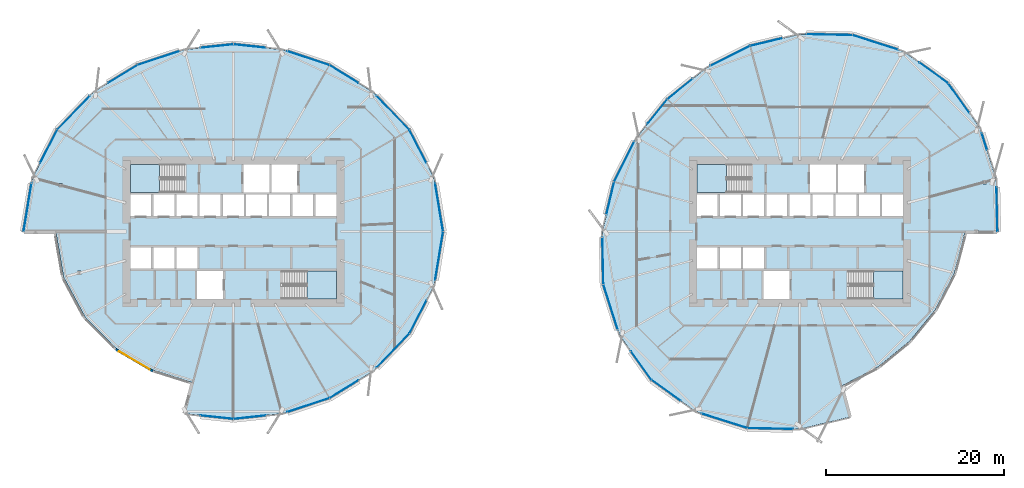
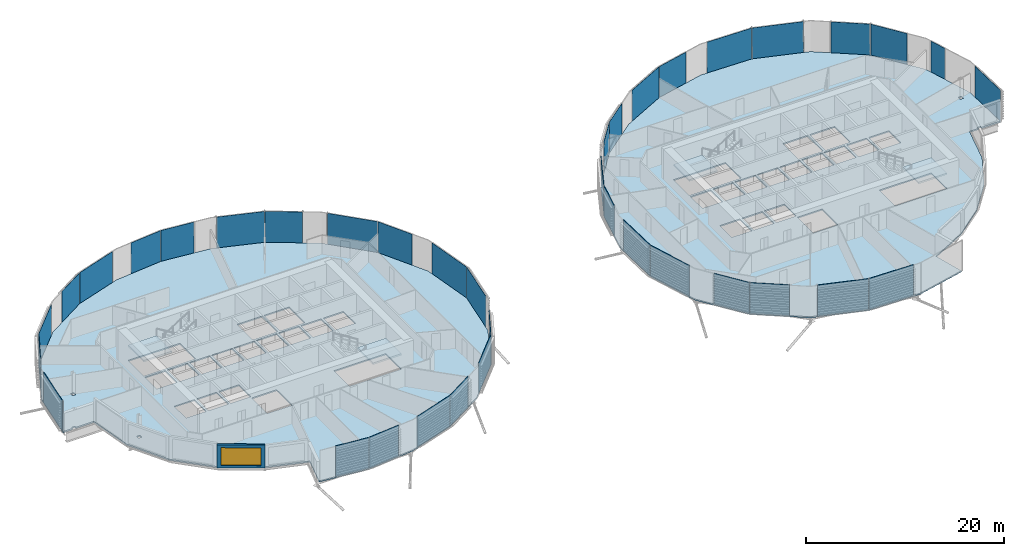
# One storey, part 19 of 38: 37 plates, 6 slabs, 1 wall, 1 window, 1 opening, 6 elements without a shape of their own.
"""IFC4 building model written with IfcOpenShell, lengths in metres."""

from ifc_helpers import new_model, si_unit, direction, frame, frame_2d, origin, origin_2d, place, context, subcontext, project, spatial, polyline, rectangle, outline, extrude, material, layer, layer_set, type_object, element, fill, aggregate, save


model = new_model("IFC4")

# Units and contexts
model_context = context("Model", 3, precision=1e-05, world=origin(), true_north=direction((0.0, 1.0)))
body_context = subcontext(model_context, "Body", "Model", "MODEL_VIEW")
ifc_project = project(units=[si_unit("LENGTHUNIT", "METRE"), si_unit("AREAUNIT", "SQUARE_METRE"), si_unit("VOLUMEUNIT", "CUBIC_METRE"), si_unit("PLANEANGLEUNIT", "RADIAN"), si_unit("MASSUNIT", "GRAM", prefix="KILO")], contexts=[model_context])

# Site, building, storey
site_placement = place(None, origin())
site = spatial("IfcSite", under=ifc_project, at=site_placement, CompositionType="ELEMENT")
building_placement = place(site_placement, origin())
building = spatial("IfcBuilding", under=site, at=building_placement, Name="Rimbun Link Towers", CompositionType="ELEMENT")
storey_placement = place(building_placement, frame((0.0, 0.0, 71.800048828125)))
storey = spatial("IfcBuildingStorey", under=building, at=storey_placement, Name="L17", CompositionType="ELEMENT", Elevation=71.800048828125)

# Slabs
ifc_material_1 = material(Name="Concrete C35/45", Category="concrete")
ifc_layer_1 = layer(ifc_material_1, 0.159912109375)
ifc_layer_set_1 = layer_set([ifc_layer_1], Name="COMPOSITE FLOOR 160")
slab_type_1 = type_object("IfcSlabType", Name="COMPOSITE FLOOR 160", PredefinedType="FLOOR", material=ifc_layer_set_1)
slab_1_placement = place(storey_placement, frame((0.0, 0.0, -0.16015625)))
element("IfcSlab", 1, at=slab_1_placement, inside=storey, type_object=slab_type_1, Name="Floor slab T1 L17", PredefinedType="FLOOR", context=body_context, shape_type="SweptSolid", body=[
    extrude(outline(polyline([(-55.244384765625, 0.0), (-54.252685546875, 6.029541015625), (-51.47900390625, 11.390380859375), (-47.397705078125, 15.647705078125), (-42.514892578125, 18.6455078125), (-37.216552734375, 20.4013671875), (-31.75, 20.97705078125), (-26.283447265625, 20.4013671875), (-20.985107421875, 18.6455078125), (-16.102294921875, 15.647705078125), (-12.02099609375, 11.390380859375), (-9.247314453125, 6.029541015625), (-8.255615234375, 0.0), (-9.247314453125, -6.029541015625), (-12.02099609375, -11.390380859375), (-16.102294921875, -15.647705078125), (-20.985107421875, -18.6455078125), (-26.283447265625, -20.4013671875), (-31.75, -20.97705078125), (-37.216552734375, -20.4013671875), (-36.284912109375, -16.924072265625), (-40.715087890625, -15.52783203125), (-44.85205078125, -13.10205078125), (-48.361083984375, -9.590576171875), (-50.775390625, -5.097900390625), (-51.644287109375, 0.0), (-53.728271484375, 0.0), (-53.728271484375, 0.19677734375), (-54.127197265625, 0.19677734375), (-54.127197265625, 0.0), (-55.244384765625, 0.0)]), holes=[polyline([(-48.83447265625, -4.827880859375), (-48.83447265625, -4.434326171875), (-49.2333984375, -4.434326171875), (-49.2333984375, -4.827880859375), (-48.83447265625, -4.827880859375)]), polyline([(-40.95556640625, -4.14990234375), (-40.95556640625, -1.75), (-43.300048828125, -1.75), (-43.300048828125, -4.14990234375), (-40.95556640625, -4.14990234375)]), polyline([(-38.361083984375, -4.14990234375), (-38.361083984375, -1.75), (-40.70556640625, -1.75), (-40.70556640625, -4.14990234375), (-38.361083984375, -4.14990234375)]), polyline([(-38.111083984375, -4.14990234375), (-35.7666015625, -4.14990234375), (-35.7666015625, -1.75), (-38.111083984375, -1.75), (-38.111083984375, -4.14990234375)]), polyline([(-40.95556640625, 1.75), (-40.95556640625, 4.14990234375), (-43.300048828125, 4.14990234375), (-43.300048828125, 1.75), (-40.95556640625, 1.75)]), polyline([(-38.361083984375, 1.75), (-38.361083984375, 4.14990234375), (-40.70556640625, 4.14990234375), (-40.70556640625, 1.75), (-38.361083984375, 1.75)]), polyline([(-35.7666015625, 1.75), (-35.7666015625, 4.14990234375), (-38.111083984375, 4.14990234375), (-38.111083984375, 1.75), (-35.7666015625, 1.75)]), polyline([(-51.278076171875, 4.982421875), (-50.87890625, 4.982421875), (-50.87890625, 5.3759765625), (-51.278076171875, 5.3759765625), (-51.278076171875, 4.982421875)]), polyline([(-43.300048828125, 4.39990234375), (-37.260009765625, 4.39990234375), (-37.260009765625, 7.550048828125), (-43.300048828125, 7.550048828125), (-43.300048828125, 4.39990234375)]), polyline([(-32.89990234375, -7.550048828125), (-32.89990234375, -4.39990234375), (-35.800048828125, -4.39990234375), (-35.800048828125, -7.550048828125), (-32.89990234375, -7.550048828125)]), polyline([(-20.199951171875, -7.550048828125), (-20.199951171875, -4.39990234375), (-26.239990234375, -4.39990234375), (-26.239990234375, -7.550048828125), (-20.199951171875, -7.550048828125)]), polyline([(-33.172119140625, 1.75), (-33.172119140625, 4.14990234375), (-35.5166015625, 4.14990234375), (-35.5166015625, 1.75), (-33.172119140625, 1.75)]), polyline([(-32.922119140625, 1.75), (-30.577880859375, 1.75), (-30.577880859375, 4.14990234375), (-32.922119140625, 4.14990234375), (-32.922119140625, 1.75)]), polyline([(-30.327880859375, 1.75), (-27.9833984375, 1.75), (-27.9833984375, 4.14990234375), (-30.327880859375, 4.14990234375), (-30.327880859375, 1.75)]), polyline([(-25.388916015625, 1.75), (-25.388916015625, 4.14990234375), (-27.7333984375, 4.14990234375), (-27.7333984375, 1.75), (-25.388916015625, 1.75)]), polyline([(-22.79443359375, 1.75), (-22.79443359375, 4.14990234375), (-25.138916015625, 4.14990234375), (-25.138916015625, 1.75), (-22.79443359375, 1.75)]), polyline([(-20.199951171875, 1.75), (-20.199951171875, 4.14990234375), (-22.54443359375, 4.14990234375), (-22.54443359375, 1.75), (-20.199951171875, 1.75)]), polyline([(-30.60009765625, 4.39990234375), (-27.699951171875, 4.39990234375), (-27.699951171875, 7.550048828125), (-30.60009765625, 7.550048828125), (-30.60009765625, 4.39990234375)]), polyline([(-27.449951171875, 4.39990234375), (-24.550048828125, 4.39990234375), (-24.550048828125, 7.550048828125), (-27.449951171875, 7.550048828125), (-27.449951171875, 4.39990234375)])]), origin(), (0.0, 0.0, 1.0), 0.16015625),
])
slab_2_placement = place(storey_placement, frame((0.0, 0.0, -0.16015625)))
element("IfcSlab", 2, at=slab_2_placement, inside=storey, type_object=slab_type_1, Name="Floor slab T2 L17", PredefinedType="FLOOR", context=body_context, shape_type="SweptSolid", body=[
    extrude(outline(polyline([(50.279052734375, 0.0), (49.069091796875, -4.640625), (46.923583984375, -8.760498046875), (44.037353515625, -12.287353515625), (40.510498046875, -15.173583984375), (36.390625, -17.319091796875), (37.322509765625, -20.79638671875), (31.75, -22.12890625), (25.853759765625, -22.0048828125), (20.101806640625, -20.175537109375), (15.136962890625, -16.613037109375), (11.574462890625, -11.648193359375), (9.7451171875, -5.896240234375), (9.62109375, 0.0), (10.95361328125, 5.572509765625), (13.458740234375, 10.560546875), (16.9169921875, 14.8330078125), (21.189453125, 18.291259765625), (26.177490234375, 20.79638671875), (31.75, 22.12890625), (37.646240234375, 22.0048828125), (43.398193359375, 20.175537109375), (48.363037109375, 16.613037109375), (51.925537109375, 11.648193359375), (53.7548828125, 5.896240234375), (53.87890625, 0.0), (51.703125, 0.0), (51.703125, 0.19677734375), (51.30419921875, 0.19677734375), (51.30419921875, 0.0), (50.279052734375, 0.0)]), holes=[polyline([(30.60009765625, -7.550048828125), (30.60009765625, -4.39990234375), (27.699951171875, -4.39990234375), (27.699951171875, -7.550048828125), (30.60009765625, -7.550048828125)]), polyline([(22.54443359375, -4.14990234375), (22.54443359375, -1.75), (20.199951171875, -1.75), (20.199951171875, -4.14990234375), (22.54443359375, -4.14990234375)]), polyline([(25.138916015625, -4.14990234375), (25.138916015625, -1.75), (22.79443359375, -1.75), (22.79443359375, -4.14990234375), (25.138916015625, -4.14990234375)]), polyline([(27.7333984375, -4.14990234375), (27.7333984375, -1.75), (25.388916015625, -1.75), (25.388916015625, -4.14990234375), (27.7333984375, -4.14990234375)]), polyline([(22.54443359375, 1.75), (22.54443359375, 4.14990234375), (20.199951171875, 4.14990234375), (20.199951171875, 1.75), (22.54443359375, 1.75)]), polyline([(25.138916015625, 1.75), (25.138916015625, 4.14990234375), (22.79443359375, 4.14990234375), (22.79443359375, 1.75), (25.138916015625, 1.75)]), polyline([(27.7333984375, 1.75), (27.7333984375, 4.14990234375), (25.388916015625, 4.14990234375), (25.388916015625, 1.75), (27.7333984375, 1.75)]), polyline([(27.9833984375, 1.75), (30.327880859375, 1.75), (30.327880859375, 4.14990234375), (27.9833984375, 4.14990234375), (27.9833984375, 1.75)]), polyline([(30.577880859375, 1.75), (32.922119140625, 1.75), (32.922119140625, 4.14990234375), (30.577880859375, 4.14990234375), (30.577880859375, 1.75)]), polyline([(26.239990234375, 4.39990234375), (26.239990234375, 7.550048828125), (20.199951171875, 7.550048828125), (20.199951171875, 4.39990234375), (26.239990234375, 4.39990234375)]), polyline([(43.300048828125, -7.550048828125), (43.300048828125, -4.39990234375), (37.260009765625, -4.39990234375), (37.260009765625, -7.550048828125), (43.300048828125, -7.550048828125)]), polyline([(33.172119140625, 1.75), (35.5166015625, 1.75), (35.5166015625, 4.14990234375), (33.172119140625, 4.14990234375), (33.172119140625, 1.75)]), polyline([(35.7666015625, 1.75), (38.111083984375, 1.75), (38.111083984375, 4.14990234375), (35.7666015625, 4.14990234375), (35.7666015625, 1.75)]), polyline([(40.70556640625, 1.75), (40.70556640625, 4.14990234375), (38.361083984375, 4.14990234375), (38.361083984375, 1.75), (40.70556640625, 1.75)]), polyline([(43.300048828125, 1.75), (43.300048828125, 4.14990234375), (40.95556640625, 4.14990234375), (40.95556640625, 1.75), (43.300048828125, 1.75)]), polyline([(52.677978515625, 5.357421875), (52.677978515625, 5.7509765625), (52.279052734375, 5.7509765625), (52.279052734375, 5.357421875), (52.677978515625, 5.357421875)]), polyline([(32.89990234375, 4.39990234375), (35.800048828125, 4.39990234375), (35.800048828125, 7.550048828125), (32.89990234375, 7.550048828125), (32.89990234375, 4.39990234375)]), polyline([(36.050048828125, 4.39990234375), (38.949951171875, 4.39990234375), (38.949951171875, 7.550048828125), (36.050048828125, 7.550048828125), (36.050048828125, 4.39990234375)])]), origin(), (0.0, 0.0, 1.0), 0.16015625),
])

# Curtain wall, plates
ifc_material_2 = material(Name="Aluminium 6063-T6 and low-iron glass", Category="aluminium")
curtain_wall_type = type_object("IfcCurtainWallType", Name="CW1 unitised vision wall", PredefinedType="NOTDEFINED", material=ifc_material_2)
curtain_wall_1_placement = place(storey_placement, origin())
curtain_wall_1 = element("IfcCurtainWall", 3, at=curtain_wall_1_placement, inside=storey, type_object=curtain_wall_type, Name="CW1 L17 T1", PredefinedType="NOTDEFINED")
ifc_material_3 = material(Name="Low-iron glass, laminated low-e unit", Category="glass")
ifc_layer_2 = layer(ifc_material_3, 0.028076171875)
ifc_layer_set_2 = layer_set([ifc_layer_2], Name="CW1 panel Low-iron glass 28")
plate_type = type_object("IfcPlateType", Name="CW1 panel Low-iron glass 28", PredefinedType="CURTAIN_PANEL", material=ifc_layer_set_2)
plate_1_placement = place(storey_placement, frame((-8.68896484375, 2.720947265625, 0.0), z_axis=(0.0, 0.0, 1.0), x_axis=(0.162259642251, -0.986748097792, 0.0)))
plate_1 = element("IfcPlate", 4, at=plate_1_placement, type_object=plate_type, Name="CW1 panel", PredefinedType="CURTAIN_PANEL", context=body_context, shape_type="SweptSolid", body=[
    extrude(rectangle(XDim=5.470458984375, YDim=0.028076171875, at=origin_2d()), origin(), (0.0, 0.0, 1.0), 3.800048828125),
])
plate_2_placement = place(storey_placement, frame((-11.058349609375, 9.560302734375, 0.0), z_axis=(0.0, 0.0, 1.0), x_axis=(0.45955632125, -0.888148629228, 0.0)))
plate_2 = element("IfcPlate", 5, at=plate_2_placement, type_object=plate_type, Name="CW1 panel", PredefinedType="CURTAIN_PANEL", context=body_context, shape_type="SweptSolid", body=[
    extrude(rectangle(XDim=4.095947265625, YDim=0.028076171875, at=origin_2d()), origin(), (0.0, 0.0, 1.0), 3.800048828125),
])
plate_3_placement = place(storey_placement, frame((-13.843994140625, 13.312255859375, 0.0), z_axis=(0.0, 0.0, 1.0), x_axis=(0.692044930546, -0.721854427226, 0.0)))
plate_3 = element("IfcPlate", 6, at=plate_3_placement, type_object=plate_type, Name="CW1 panel", PredefinedType="CURTAIN_PANEL", context=body_context, shape_type="SweptSolid", body=[
    extrude(rectangle(XDim=5.257568359375, YDim=0.028076171875, at=origin_2d()), origin(), (0.0, 0.0, 1.0), 3.800048828125),
])
plate_4_placement = place(storey_placement, frame((-19.345947265625, 17.655517578125, 0.0), z_axis=(0.0, 0.0, 1.0), x_axis=(0.852185835011, -0.523239240316, 0.0)))
plate_4 = element("IfcPlate", 7, at=plate_4_placement, type_object=plate_type, Name="CW1 panel", PredefinedType="CURTAIN_PANEL", context=body_context, shape_type="SweptSolid", body=[
    extrude(rectangle(XDim=3.78955078125, YDim=0.028076171875, at=origin_2d()), origin(), (0.0, 0.0, 1.0), 3.800048828125),
])
plate_5_placement = place(storey_placement, frame((-23.344970703125, 19.4423828125, 0.0), z_axis=(0.0, 0.0, 1.0), x_axis=(0.949238989505, -0.314555783293, 0.0)))
plate_5 = element("IfcPlate", 8, at=plate_5_placement, type_object=plate_type, Name="CW1 panel", PredefinedType="CURTAIN_PANEL", context=body_context, shape_type="SweptSolid", body=[
    extrude(rectangle(XDim=4.94189453125, YDim=0.028076171875, at=origin_2d()), origin(), (0.0, 0.0, 1.0), 3.800048828125),
])
plate_6_placement = place(storey_placement, frame((-29.910400390625, 20.79736328125, 0.0), z_axis=(0.0, 0.0, 1.0), x_axis=(0.994500168315, -0.104734976112, 0.0)))
plate_6 = element("IfcPlate", 9, at=plate_6_placement, type_object=plate_type, Name="CW1 panel", PredefinedType="CURTAIN_PANEL", context=body_context, shape_type="SweptSolid", body=[
    extrude(rectangle(XDim=3.65673828125, YDim=0.028076171875, at=origin_2d()), origin(), (0.0, 0.0, 1.0), 3.800048828125),
])
plate_7_placement = place(storey_placement, frame((-33.589599609375, 20.79736328125, 0.0), z_axis=(0.0, 0.0, 1.0), x_axis=(0.994500168315, 0.104734976112, 0.0)))
plate_7 = element("IfcPlate", 10, at=plate_7_placement, type_object=plate_type, Name="CW1 panel", PredefinedType="CURTAIN_PANEL", context=body_context, shape_type="SweptSolid", body=[
    extrude(rectangle(XDim=3.65673828125, YDim=0.028076171875, at=origin_2d()), origin(), (0.0, 0.0, 1.0), 3.800048828125),
])
plate_8_placement = place(storey_placement, frame((-40.155029296875, 19.4423828125, 0.0), z_axis=(0.0, 0.0, 1.0), x_axis=(0.949238989505, 0.314555783293, 0.0)))
plate_8 = element("IfcPlate", 11, at=plate_8_placement, type_object=plate_type, Name="CW1 panel", PredefinedType="CURTAIN_PANEL", context=body_context, shape_type="SweptSolid", body=[
    extrude(rectangle(XDim=4.94189453125, YDim=0.028076171875, at=origin_2d()), origin(), (0.0, 0.0, 1.0), 3.800048828125),
])
plate_9_placement = place(storey_placement, frame((-44.154052734375, 17.655517578125, 0.0), z_axis=(0.0, 0.0, 1.0), x_axis=(0.852185835011, 0.523239240316, 0.0)))
plate_9 = element("IfcPlate", 12, at=plate_9_placement, type_object=plate_type, Name="CW1 panel", PredefinedType="CURTAIN_PANEL", context=body_context, shape_type="SweptSolid", body=[
    extrude(rectangle(XDim=3.78955078125, YDim=0.028076171875, at=origin_2d()), origin(), (0.0, 0.0, 1.0), 3.800048828125),
])
plate_10_placement = place(storey_placement, frame((-49.656005859375, 13.312255859375, 0.0), z_axis=(0.0, 0.0, 1.0), x_axis=(0.692044930546, 0.721854427226, 0.0)))
plate_10 = element("IfcPlate", 13, at=plate_10_placement, type_object=plate_type, Name="CW1 panel", PredefinedType="CURTAIN_PANEL", context=body_context, shape_type="SweptSolid", body=[
    extrude(rectangle(XDim=5.257568359375, YDim=0.028076171875, at=origin_2d()), origin(), (0.0, 0.0, 1.0), 3.800048828125),
])
plate_11_placement = place(storey_placement, frame((-52.453125, 9.5380859375, 0.0), z_axis=(0.0, 0.0, 1.0), x_axis=(0.45955632125, 0.888148629228, 0.0)))
plate_11 = element("IfcPlate", 14, at=plate_11_placement, type_object=plate_type, Name="CW1 panel", PredefinedType="CURTAIN_PANEL", context=body_context, shape_type="SweptSolid", body=[
    extrude(rectangle(XDim=4.14599609375, YDim=0.028076171875, at=origin_2d()), origin(), (0.0, 0.0, 1.0), 3.800048828125),
])
plate_12_placement = place(storey_placement, frame((-54.815185546875, 2.6962890625, 0.0), z_axis=(0.0, 0.0, 1.0), x_axis=(0.162259642251, 0.986748097792, 0.0)))
plate_12 = element("IfcPlate", 15, at=plate_12_placement, type_object=plate_type, Name="CW1 panel", PredefinedType="CURTAIN_PANEL", context=body_context, shape_type="SweptSolid", body=[
    extrude(rectangle(XDim=5.420654296875, YDim=0.028076171875, at=origin_2d()), origin(), (0.0, 0.0, 1.0), 3.800048828125),
])
plate_13_placement = place(storey_placement, frame((-33.589599609375, -20.79736328125, 0.0), z_axis=(0.0, 0.0, 1.0), x_axis=(-0.994500168315, 0.104734976112, 0.0)))
plate_13 = element("IfcPlate", 16, at=plate_13_placement, type_object=plate_type, Name="CW1 panel", PredefinedType="CURTAIN_PANEL", context=body_context, shape_type="SweptSolid", body=[
    extrude(rectangle(XDim=3.65673828125, YDim=0.028076171875, at=origin_2d()), origin(), (0.0, 0.0, 1.0), 3.800048828125),
])
plate_14_placement = place(storey_placement, frame((-29.910400390625, -20.79736328125, 0.0), z_axis=(0.0, 0.0, 1.0), x_axis=(-0.994500168315, -0.104734976112, 0.0)))
plate_14 = element("IfcPlate", 17, at=plate_14_placement, type_object=plate_type, Name="CW1 panel", PredefinedType="CURTAIN_PANEL", context=body_context, shape_type="SweptSolid", body=[
    extrude(rectangle(XDim=3.65673828125, YDim=0.028076171875, at=origin_2d()), origin(), (0.0, 0.0, 1.0), 3.800048828125),
])
plate_15_placement = place(storey_placement, frame((-23.344970703125, -19.4423828125, 0.0), z_axis=(0.0, 0.0, 1.0), x_axis=(-0.949238989505, -0.314555783293, 0.0)))
plate_15 = element("IfcPlate", 18, at=plate_15_placement, type_object=plate_type, Name="CW1 panel", PredefinedType="CURTAIN_PANEL", context=body_context, shape_type="SweptSolid", body=[
    extrude(rectangle(XDim=4.94189453125, YDim=0.028076171875, at=origin_2d()), origin(), (0.0, 0.0, 1.0), 3.800048828125),
])
plate_16_placement = place(storey_placement, frame((-19.345947265625, -17.655517578125, 0.0), z_axis=(0.0, 0.0, 1.0), x_axis=(-0.852185835011, -0.523239240316, 0.0)))
plate_16 = element("IfcPlate", 19, at=plate_16_placement, type_object=plate_type, Name="CW1 panel", PredefinedType="CURTAIN_PANEL", context=body_context, shape_type="SweptSolid", body=[
    extrude(rectangle(XDim=3.78955078125, YDim=0.028076171875, at=origin_2d()), origin(), (0.0, 0.0, 1.0), 3.800048828125),
])
plate_17_placement = place(storey_placement, frame((-13.843994140625, -13.312255859375, 0.0), z_axis=(0.0, 0.0, 1.0), x_axis=(-0.692044930546, -0.721854427226, 0.0)))
plate_17 = element("IfcPlate", 20, at=plate_17_placement, type_object=plate_type, Name="CW1 panel", PredefinedType="CURTAIN_PANEL", context=body_context, shape_type="SweptSolid", body=[
    extrude(rectangle(XDim=5.257568359375, YDim=0.028076171875, at=origin_2d()), origin(), (0.0, 0.0, 1.0), 3.800048828125),
])
plate_18_placement = place(storey_placement, frame((-11.058349609375, -9.560302734375, 0.0), z_axis=(0.0, 0.0, 1.0), x_axis=(-0.45955632125, -0.888148629228, 0.0)))
plate_18 = element("IfcPlate", 21, at=plate_18_placement, type_object=plate_type, Name="CW1 panel", PredefinedType="CURTAIN_PANEL", context=body_context, shape_type="SweptSolid", body=[
    extrude(rectangle(XDim=4.095947265625, YDim=0.028076171875, at=origin_2d()), origin(), (0.0, 0.0, 1.0), 3.800048828125),
])
plate_19_placement = place(storey_placement, frame((-8.68896484375, -2.720947265625, 0.0), z_axis=(0.0, 0.0, 1.0), x_axis=(-0.162259642251, -0.986748097792, 0.0)))
plate_19 = element("IfcPlate", 22, at=plate_19_placement, type_object=plate_type, Name="CW1 panel", PredefinedType="CURTAIN_PANEL", context=body_context, shape_type="SweptSolid", body=[
    extrude(rectangle(XDim=5.470458984375, YDim=0.028076171875, at=origin_2d()), origin(), (0.0, 0.0, 1.0), 3.800048828125),
])
aggregate(curtain_wall_1, [plate_1, plate_2, plate_3, plate_4, plate_5, plate_6, plate_7, plate_8, plate_9, plate_10, plate_11, plate_12, plate_13, plate_14, plate_15, plate_16, plate_17, plate_18, plate_19])

curtain_wall_2_placement = place(storey_placement, origin())
curtain_wall_2 = element("IfcCurtainWall", 23, at=curtain_wall_2_placement, inside=storey, type_object=curtain_wall_type, Name="CW1 L17 T2", PredefinedType="NOTDEFINED")
plate_20_placement = place(storey_placement, frame((46.741943359375, 17.79345703125, 0.0), z_axis=(0.0, 0.0, 1.0), x_axis=(0.812471013588, -0.583001588402, 0.0)))
plate_20 = element("IfcPlate", 24, at=plate_20_placement, type_object=plate_type, Name="CW1 panel", PredefinedType="CURTAIN_PANEL", context=body_context, shape_type="SweptSolid", body=[
    extrude(rectangle(XDim=3.970703125, YDim=0.028076171875, at=origin_2d()), origin(), (0.0, 0.0, 1.0), 3.800048828125),
])
plate_21_placement = place(storey_placement, frame((40.19287109375, 21.20947265625, 0.0), z_axis=(0.0, 0.0, 1.0), x_axis=(0.952969504125, -0.30306620433, 0.0)))
plate_21 = element("IfcPlate", 25, at=plate_21_placement, type_object=plate_type, Name="CW1 panel", PredefinedType="CURTAIN_PANEL", context=body_context, shape_type="SweptSolid", body=[
    extrude(rectangle(XDim=5.2958984375, YDim=0.028076171875, at=origin_2d()), origin(), (0.0, 0.0, 1.0), 3.800048828125),
])
plate_22_placement = place(storey_placement, frame((35.0732421875, 22.072998046875, 0.0), z_axis=(0.0, 0.0, 1.0), x_axis=(0.999778219026, -0.021059742681, 0.0)))
plate_22 = element("IfcPlate", 26, at=plate_22_placement, type_object=plate_type, Name="CW1 panel", PredefinedType="CURTAIN_PANEL", context=body_context, shape_type="SweptSolid", body=[
    extrude(rectangle(XDim=5.107421875, YDim=0.028076171875, at=origin_2d()), origin(), (0.0, 0.0, 1.0), 3.800048828125),
])
plate_23_placement = place(storey_placement, frame((27.988037109375, 21.24365234375, 0.0), z_axis=(0.0, 0.0, 1.0), x_axis=(0.972572197016, 0.232601207201, 0.0)))
plate_23 = element("IfcPlate", 27, at=plate_23_placement, type_object=plate_type, Name="CW1 panel", PredefinedType="CURTAIN_PANEL", context=body_context, shape_type="SweptSolid", body=[
    extrude(rectangle(XDim=3.689453125, YDim=0.028076171875, at=origin_2d()), origin(), (0.0, 0.0, 1.0), 3.800048828125),
])
plate_24_placement = place(storey_placement, frame((23.9453125, 19.69091796875, 0.0), z_axis=(0.0, 0.0, 1.0), x_axis=(0.893641116942, 0.448782301468, 0.0)))
plate_24 = element("IfcPlate", 28, at=plate_24_placement, type_object=plate_type, Name="CW1 panel", PredefinedType="CURTAIN_PANEL", context=body_context, shape_type="SweptSolid", body=[
    extrude(rectangle(XDim=4.941650390625, YDim=0.028076171875, at=origin_2d()), origin(), (0.0, 0.0, 1.0), 3.800048828125),
])
plate_25_placement = place(storey_placement, frame((18.325439453125, 15.990966796875, 0.0), z_axis=(0.0, 0.0, 1.0), x_axis=(0.777279609946, 0.629155313069, 0.0)))
plate_25 = element("IfcPlate", 29, at=plate_25_placement, type_object=plate_type, Name="CW1 panel", PredefinedType="CURTAIN_PANEL", context=body_context, shape_type="SweptSolid", body=[
    extrude(rectangle(XDim=3.606689453125, YDim=0.028076171875, at=origin_2d()), origin(), (0.0, 0.0, 1.0), 3.800048828125),
])
plate_26_placement = place(storey_placement, frame((15.774658203125, 13.444091796875, 0.0), z_axis=(0.0, 0.0, 1.0), x_axis=(0.629155313069, 0.777279609946, 0.0)))
plate_26 = element("IfcPlate", 30, at=plate_26_placement, type_object=plate_type, Name="CW1 panel", PredefinedType="CURTAIN_PANEL", context=body_context, shape_type="SweptSolid", body=[
    extrude(rectangle(XDim=3.556640625, YDim=0.028076171875, at=origin_2d()), origin(), (0.0, 0.0, 1.0), 3.800048828125),
])
plate_27_placement = place(storey_placement, frame((12.0703125, 7.826904296875, 0.0), z_axis=(0.0, 0.0, 1.0), x_axis=(0.448782301468, 0.893641116942, 0.0)))
plate_27 = element("IfcPlate", 31, at=plate_27_placement, type_object=plate_type, Name="CW1 panel", PredefinedType="CURTAIN_PANEL", context=body_context, shape_type="SweptSolid", body=[
    extrude(rectangle(XDim=4.99169921875, YDim=0.028076171875, at=origin_2d()), origin(), (0.0, 0.0, 1.0), 3.800048828125),
])
plate_28_placement = place(storey_placement, frame((10.50048828125, 3.73779296875, 0.0), z_axis=(0.0, 0.0, 1.0), x_axis=(0.232601207201, 0.972572197016, 0.0)))
plate_28 = element("IfcPlate", 32, at=plate_28_placement, type_object=plate_type, Name="CW1 panel", PredefinedType="CURTAIN_PANEL", context=body_context, shape_type="SweptSolid", body=[
    extrude(rectangle(XDim=3.739501953125, YDim=0.028076171875, at=origin_2d()), origin(), (0.0, 0.0, 1.0), 3.800048828125),
])
plate_29_placement = place(storey_placement, frame((9.676025390625, -3.2734375, 0.0), z_axis=(0.0, 0.0, 1.0), x_axis=(-0.021059742681, 0.999778219026, 0.0)))
plate_29 = element("IfcPlate", 33, at=plate_29_placement, type_object=plate_type, Name="CW1 panel", PredefinedType="CURTAIN_PANEL", context=body_context, shape_type="SweptSolid", body=[
    extrude(rectangle(XDim=5.20751953125, YDim=0.028076171875, at=origin_2d()), origin(), (0.0, 0.0, 1.0), 3.800048828125),
])
plate_30_placement = place(storey_placement, frame((10.54052734375, -8.44287109375, 0.0), z_axis=(0.0, 0.0, 1.0), x_axis=(-0.30306620433, 0.952969504125, 0.0)))
plate_30 = element("IfcPlate", 34, at=plate_30_placement, type_object=plate_type, Name="CW1 panel", PredefinedType="CURTAIN_PANEL", context=body_context, shape_type="SweptSolid", body=[
    extrude(rectangle(XDim=5.2958984375, YDim=0.028076171875, at=origin_2d()), origin(), (0.0, 0.0, 1.0), 3.800048828125),
])
plate_31_placement = place(storey_placement, frame((13.97119140625, -15.01220703125, 0.0), z_axis=(0.0, 0.0, 1.0), x_axis=(-0.583001588402, 0.812471013588, 0.0)))
plate_31 = element("IfcPlate", 35, at=plate_31_placement, type_object=plate_type, Name="CW1 panel", PredefinedType="CURTAIN_PANEL", context=body_context, shape_type="SweptSolid", body=[
    extrude(rectangle(XDim=3.920654296875, YDim=0.028076171875, at=origin_2d()), origin(), (0.0, 0.0, 1.0), 3.800048828125),
])
plate_32_placement = place(storey_placement, frame((16.758056640625, -17.79345703125, 0.0), z_axis=(0.0, 0.0, 1.0), x_axis=(-0.812471013588, 0.583001588402, 0.0)))
plate_32 = element("IfcPlate", 36, at=plate_32_placement, type_object=plate_type, Name="CW1 panel", PredefinedType="CURTAIN_PANEL", context=body_context, shape_type="SweptSolid", body=[
    extrude(rectangle(XDim=3.970703125, YDim=0.028076171875, at=origin_2d()), origin(), (0.0, 0.0, 1.0), 3.800048828125),
])
plate_33_placement = place(storey_placement, frame((23.30712890625, -21.20947265625, 0.0), z_axis=(0.0, 0.0, 1.0), x_axis=(-0.952969504125, 0.30306620433, 0.0)))
plate_33 = element("IfcPlate", 37, at=plate_33_placement, type_object=plate_type, Name="CW1 panel", PredefinedType="CURTAIN_PANEL", context=body_context, shape_type="SweptSolid", body=[
    extrude(rectangle(XDim=5.2958984375, YDim=0.028076171875, at=origin_2d()), origin(), (0.0, 0.0, 1.0), 3.800048828125),
])
plate_34_placement = place(storey_placement, frame((28.4267578125, -22.072998046875, 0.0), z_axis=(0.0, 0.0, 1.0), x_axis=(-0.999778219026, 0.021059742681, 0.0)))
plate_34 = element("IfcPlate", 38, at=plate_34_placement, type_object=plate_type, Name="CW1 panel", PredefinedType="CURTAIN_PANEL", context=body_context, shape_type="SweptSolid", body=[
    extrude(rectangle(XDim=5.107421875, YDim=0.028076171875, at=origin_2d()), origin(), (0.0, 0.0, 1.0), 3.800048828125),
])
plate_35_placement = place(storey_placement, frame((53.84033203125, 2.49853515625, 0.0), z_axis=(0.0, 0.0, 1.0), x_axis=(0.021059742681, -0.999778219026, 0.0)))
plate_35 = element("IfcPlate", 39, at=plate_35_placement, type_object=plate_type, Name="CW1 panel", PredefinedType="CURTAIN_PANEL", context=body_context, shape_type="SweptSolid", body=[
    extrude(rectangle(XDim=4.95751953125, YDim=0.028076171875, at=origin_2d()), origin(), (0.0, 0.0, 1.0), 3.800048828125),
])
plate_36_placement = place(storey_placement, frame((52.436767578125, 10.0869140625, 0.0), z_axis=(0.0, 0.0, 1.0), x_axis=(0.30306620433, -0.952969504125, 0.0)))
plate_36 = element("IfcPlate", 40, at=plate_36_placement, type_object=plate_type, Name="CW1 panel", PredefinedType="CURTAIN_PANEL", context=body_context, shape_type="SweptSolid", body=[
    extrude(rectangle(XDim=1.946044921875, YDim=0.028076171875, at=origin_2d()), origin(), (0.0, 0.0, 1.0), 3.800048828125),
])
plate_37_placement = place(storey_placement, frame((49.55810546875, 14.9716796875, 0.0), z_axis=(0.0, 0.0, 1.0), x_axis=(0.583001588402, -0.812471013588, 0.0)))
plate_37 = element("IfcPlate", 41, at=plate_37_placement, type_object=plate_type, Name="CW1 panel", PredefinedType="CURTAIN_PANEL", context=body_context, shape_type="SweptSolid", body=[
    extrude(rectangle(XDim=4.0205078125, YDim=0.028076171875, at=origin_2d()), origin(), (0.0, 0.0, 1.0), 3.800048828125),
])
aggregate(curtain_wall_2, [plate_20, plate_21, plate_22, plate_23, plate_24, plate_25, plate_26, plate_27, plate_28, plate_29, plate_30, plate_31, plate_32, plate_33, plate_34, plate_35, plate_36, plate_37])

# Stair, slab
ifc_material_4 = material(Name="Concrete C40/50", Category="concrete")
stair_type = type_object("IfcStairType", Name="Exit stair 3800 rise", PredefinedType="HALF_TURN_STAIR", material=ifc_material_4)
stair_1_placement = place(storey_placement, origin())
stair_1 = element("IfcStair", 42, at=stair_1_placement, inside=storey, type_object=stair_type, Name="L17 EXIT STAIR A", PredefinedType="HALF_TURN_STAIR")
ifc_material_5 = material(Name="Concrete C40/50", Category="concrete")
ifc_layer_3 = layer(ifc_material_5, 0.199951171875)
ifc_layer_set_3 = layer_set([ifc_layer_3], Name="Stair landing")
slab_type_2 = type_object("IfcSlabType", Name="Stair landing", PredefinedType="LANDING", material=ifc_layer_set_3)
slab_3_placement = place(storey_placement, frame((0.0, 0.0, 1.699951171875)))
slab_3 = element("IfcSlab", 43, at=slab_3_placement, type_object=slab_type_2, Name="ST1 landing 1", PredefinedType="LANDING", context=body_context, shape_type="SweptSolid", body=[
    extrude(outline(polyline([(-40.0, 7.550048828125), (-43.300048828125, 7.550048828125), (-43.300048828125, 4.39990234375), (-40.0, 4.39990234375), (-40.0, 7.550048828125)])), origin(), (0.0, 0.0, 1.0), 0.199951171875),
])
aggregate(stair_1, [slab_3])

stair_2_placement = place(storey_placement, origin())
stair_2 = element("IfcStair", 44, at=stair_2_placement, inside=storey, type_object=stair_type, Name="L17 EXIT STAIR B", PredefinedType="HALF_TURN_STAIR")
slab_4_placement = place(storey_placement, frame((0.0, 0.0, 1.699951171875)))
slab_4 = element("IfcSlab", 45, at=slab_4_placement, type_object=slab_type_2, Name="ST2 landing 1", PredefinedType="LANDING", context=body_context, shape_type="SweptSolid", body=[
    extrude(outline(polyline([(-23.5, -7.550048828125), (-20.199951171875, -7.550048828125), (-20.199951171875, -4.39990234375), (-23.5, -4.39990234375), (-23.5, -7.550048828125)])), origin(), (0.0, 0.0, 1.0), 0.199951171875),
])
aggregate(stair_2, [slab_4])

stair_3_placement = place(storey_placement, origin())
stair_3 = element("IfcStair", 46, at=stair_3_placement, inside=storey, type_object=stair_type, Name="L17 EXIT STAIR A", PredefinedType="HALF_TURN_STAIR")
slab_5_placement = place(storey_placement, frame((0.0, 0.0, 1.699951171875)))
slab_5 = element("IfcSlab", 47, at=slab_5_placement, type_object=slab_type_2, Name="ST3 landing 1", PredefinedType="LANDING", context=body_context, shape_type="SweptSolid", body=[
    extrude(outline(polyline([(23.5, 7.550048828125), (20.199951171875, 7.550048828125), (20.199951171875, 4.39990234375), (23.5, 4.39990234375), (23.5, 7.550048828125)])), origin(), (0.0, 0.0, 1.0), 0.199951171875),
])
aggregate(stair_3, [slab_5])

stair_4_placement = place(storey_placement, origin())
stair_4 = element("IfcStair", 48, at=stair_4_placement, inside=storey, type_object=stair_type, Name="L17 EXIT STAIR B", PredefinedType="HALF_TURN_STAIR")
slab_6_placement = place(storey_placement, frame((0.0, 0.0, 1.699951171875)))
slab_6 = element("IfcSlab", 49, at=slab_6_placement, type_object=slab_type_2, Name="ST4 landing 1", PredefinedType="LANDING", context=body_context, shape_type="SweptSolid", body=[
    extrude(outline(polyline([(40.0, -7.550048828125), (43.300048828125, -7.550048828125), (43.300048828125, -4.39990234375), (40.0, -4.39990234375), (40.0, -7.550048828125)])), origin(), (0.0, 0.0, 1.0), 0.199951171875),
])
aggregate(stair_4, [slab_6])

# Wall, opening, window
ifc_material_6 = material(Name="Dark enamelled glass spandrel on insulated aluminium backpan", Category="aluminium")
ifc_layer_4 = layer(ifc_material_6, 0.25)
ifc_layer_set_4 = layer_set([ifc_layer_4], Name="CS dark enamelled spandrel wall 250")
wall_type = type_object("IfcWallType", Name="CS dark enamelled spandrel wall 250", PredefinedType="STANDARD", material=ifc_layer_set_4)
wall_placement = place(storey_placement, frame((-40.76611328125, -15.642822265625, 0.0), z_axis=(0.0, 0.0, 1.0), x_axis=(-0.862618805527, 0.505854520935, 0.0)))
wall = element("IfcWall", 50, at=wall_placement, inside=storey, type_object=wall_type, Name="Crease spandrel wall", PredefinedType="STANDARD", context=body_context, shape_type="SweptSolid", body=[
    extrude(rectangle(XDim=4.825927734375, YDim=0.25, at=frame_2d((2.4130859375, 0.0))), origin(), (0.0, 0.0, 1.0), 2.82763671875),
])
opening_placement = place(wall_placement, frame((0.4130859375, 0.0, 0.300048828125)))
opening = element("IfcOpeningElement", 51, at=opening_placement, cuts=wall, Name="Opening WR40H220", PredefinedType="OPENING", context=body_context, shape_type="SweptSolid", body=[
    extrude(rectangle(XDim=4.0, YDim=2.199951171875, at=frame_2d((2.0, 1.10009765625))), frame((0.0, 0.135009765625, 0.0), z_axis=(0.0, -1.0, 0.0), x_axis=(1.0, 0.0, 0.0)), (0.0, 0.0, 1.0), 0.27001953125),
])
ifc_material_7 = material(Name="Aluminium framed fixed window, dark tinted low-e glass", Category="aluminium")
window_type = type_object("IfcWindowType", Name="WR ribbon window 4000X2200", PartitioningType="SINGLE_PANEL", PredefinedType="WINDOW", material=ifc_material_7)
window_placement = place(opening_placement, origin())
window = element("IfcWindow", 52, at=window_placement, inside=storey, type_object=window_type, Name="Crease ribbon window", OverallHeight=2.199951171875, OverallWidth=4.0, PartitioningType="SINGLE_PANEL", PredefinedType="WINDOW", context=body_context, shape_type="SweptSolid", body=[
    extrude(rectangle(XDim=4.0, YDim=2.199951171875, at=frame_2d((2.0, 1.10009765625))), frame((0.0, 0.030029296875, 0.0), z_axis=(0.0, -1.0, 0.0), x_axis=(1.0, 0.0, 0.0)), (0.0, 0.0, 1.0), 0.06005859375),
])
fill(opening, window)

save(model, "model.ifc")
